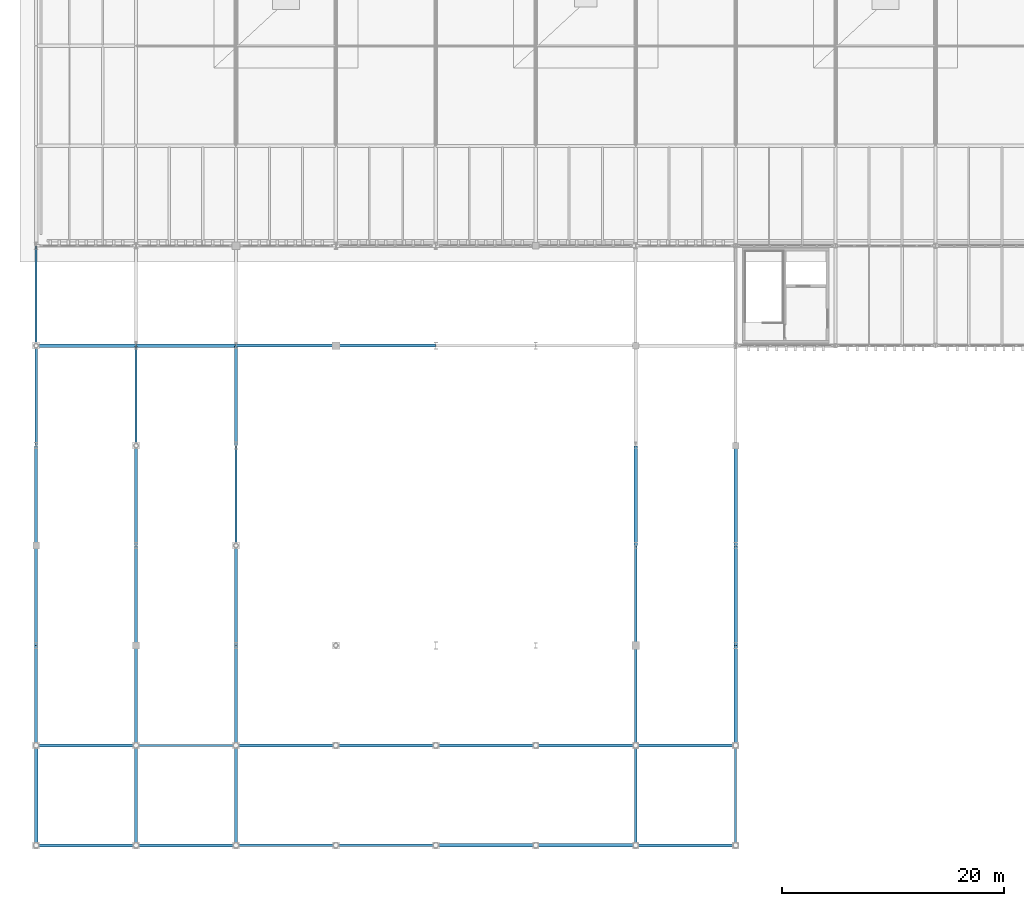
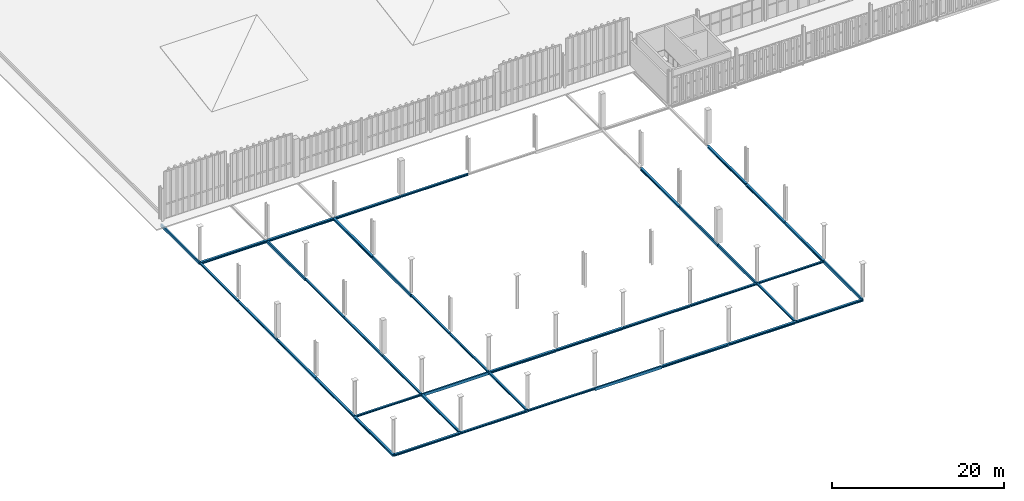
# One storey, part 17 of 196: 42 beams.
"""IFC4 building model written with IfcOpenShell, lengths in metres."""

from ifc_helpers import new_model, si_unit, direction, frame, origin, origin_2d, place, context, subcontext, project, spatial, hollow_rectangle, i_section, extrude, material, material_profile, profile_set, type_object, element, save


model = new_model("IFC4")

# Units and contexts
model_context = context("Model", 3, precision=1e-05, world=origin(), true_north=direction((0.0, 1.0)))
body_context = subcontext(model_context, "Body", "Model", "MODEL_VIEW")
ifc_project = project(units=[si_unit("LENGTHUNIT", "METRE"), si_unit("AREAUNIT", "SQUARE_METRE"), si_unit("VOLUMEUNIT", "CUBIC_METRE"), si_unit("PLANEANGLEUNIT", "RADIAN"), si_unit("MASSUNIT", "GRAM", prefix="KILO")], contexts=[model_context])

# Site, building, storey
site_placement = place(None, origin())
site = spatial("IfcSite", under=ifc_project, at=site_placement, CompositionType="ELEMENT")
building_placement = place(site_placement, origin())
building = spatial("IfcBuilding", under=site, at=building_placement, Name="Barlavento Convention Centre", CompositionType="ELEMENT")
storey_placement = place(building_placement, frame((0.0, 0.0, 18.0)))
storey = spatial("IfcBuildingStorey", under=building, at=storey_placement, Name="L03", CompositionType="ELEMENT", Elevation=18.0)

# Beams
ifc_material = material(Name="Steel S355", Category="steel")
ifc_material_profile_1 = material_profile(ifc_material, i_section(OverallWidth=0.239990234375, OverallDepth=0.22998046875, WebThickness=0.007568359375, FlangeThickness=0.011962890625, FilletRadius=0.02099609375, at=origin_2d()), Name="HEA 240")
ifc_profile_set_1 = profile_set([ifc_material_profile_1], Name="Steel S355")
beam_type_1 = type_object("IfcBeamType", Name="STR-BM-SPN-HEA240", PredefinedType="SPANDREL", material=ifc_profile_set_1)
for number, where, z_axis, x_axis, name in (
    (1, (18.02001953125, 0.0, -0.47509765625), (1.0, 0.0, 0.0), (0.0, 1.0, 0.0), "L03 primary girder SP05"),
    (2, (0.02001953125, 9.0, -0.47509765625), (1.0, 0.0, 0.0), (0.0, 1.0, 0.0), "L03 primary girder SP05"),
    (3, (54.02001953125, 9.0, -0.47509765625), (1.0, 0.0, 0.0), (0.0, 1.0, 0.0), "L03 primary girder SP05"),
    (4, (54.0, 0.02001953125, -0.47509765625), (0.0, 1.0, 0.0), (-1.0, 0.0, 0.0), "L03 grid girder SP05"),
    (5, (18.0, 9.02001953125, -0.47509765625), (0.0, 1.0, 0.0), (-1.0, 0.0, 0.0), "L03 grid girder SP05"),
    (6, (18.0, 18.02001953125, -0.47509765625), (0.0, 1.0, 0.0), (-1.0, 0.0, 0.0), "L03 grid girder SP05"),
    (7, (9.0, 27.02001953125, -0.47509765625), (0.0, 1.0, 0.0), (-1.0, 0.0, 0.0), "L03 grid girder SP05"),
    (8, (0.0, 36.02001953125, -0.47509765625), (0.0, 1.0, 0.0), (-1.0, 0.0, 0.0), "L03 grid girder SP05"),
):
    element("IfcBeam", number, at=place(storey_placement, frame(where, z_axis=z_axis, x_axis=x_axis)), inside=storey, type_object=beam_type_1, Name=name, PredefinedType="SPANDREL", context=body_context, shape_type="SweptSolid", body=[
        extrude(i_section(OverallWidth=0.239990234375, OverallDepth=0.22998046875, WebThickness=0.007568359375, FlangeThickness=0.011962890625, FilletRadius=0.02099609375, at=origin_2d()), origin(), (0.0, 0.0, 1.0), 8.9599609375),
    ])
ifc_material_profile_2 = material_profile(ifc_material, i_section(OverallWidth=0.260009765625, OverallDepth=0.25, WebThickness=0.007568359375, FlangeThickness=0.012451171875, FilletRadius=0.02392578125, at=origin_2d()), Name="HEA 260")
ifc_profile_set_2 = profile_set([ifc_material_profile_2], Name="Steel S355")
beam_type_2 = type_object("IfcBeamType", Name="STR-BM-SPN-HEA260", PredefinedType="SPANDREL", material=ifc_profile_set_2)
for number, where, z_axis, x_axis, name in (
    (9, (9.02001953125, 0.0, -0.485107421875), (1.0, 0.0, 0.0), (0.0, 1.0, 0.0), "L03 primary girder SP04"),
    (10, (45.02001953125, 9.0, -0.485107421875), (1.0, 0.0, 0.0), (0.0, 1.0, 0.0), "L03 primary girder SP04"),
    (11, (27.02001953125, 45.0, -0.485107421875), (1.0, 0.0, 0.0), (0.0, 1.0, 0.0), "L03 primary girder SP04"),
    (12, (18.0, 0.02001953125, -0.485107421875), (0.0, 1.0, 0.0), (-1.0, 0.0, 0.0), "L03 grid girder SP04"),
    (13, (9.0, 9.02001953125, -0.485107421875), (0.0, 1.0, 0.0), (-1.0, 0.0, 0.0), "L03 grid girder SP04"),
    (14, (9.0, 18.02001953125, -0.485107421875), (0.0, 1.0, 0.0), (-1.0, 0.0, 0.0), "L03 grid girder SP04"),
    (15, (0.0, 27.02001953125, -0.485107421875), (0.0, 1.0, 0.0), (-1.0, 0.0, 0.0), "L03 grid girder SP04"),
):
    element("IfcBeam", number, at=place(storey_placement, frame(where, z_axis=z_axis, x_axis=x_axis)), inside=storey, type_object=beam_type_2, Name=name, PredefinedType="SPANDREL", context=body_context, shape_type="SweptSolid", body=[
        extrude(i_section(OverallWidth=0.260009765625, OverallDepth=0.25, WebThickness=0.007568359375, FlangeThickness=0.012451171875, FilletRadius=0.02392578125, at=origin_2d()), origin(), (0.0, 0.0, 1.0), 8.9599609375),
    ])
ifc_material_profile_3 = material_profile(ifc_material, i_section(OverallWidth=0.280029296875, OverallDepth=0.27001953125, WebThickness=0.008056640625, FlangeThickness=0.012939453125, FilletRadius=0.02392578125, at=origin_2d()), Name="HEA 280")
ifc_profile_set_3 = profile_set([ifc_material_profile_3], Name="Steel S355")
beam_type_3 = type_object("IfcBeamType", Name="STR-BM-SPN-HEA280", PredefinedType="SPANDREL", material=ifc_profile_set_3)
for number, where, z_axis, x_axis, name in (
    (16, (0.02001953125, 0.0, -0.4951171875), (1.0, 0.0, 0.0), (0.0, 1.0, 0.0), "L03 primary girder SP03"),
    (17, (54.02001953125, 0.0, -0.4951171875), (1.0, 0.0, 0.0), (0.0, 1.0, 0.0), "L03 primary girder SP03"),
    (18, (36.02001953125, 9.0, -0.4951171875), (1.0, 0.0, 0.0), (0.0, 1.0, 0.0), "L03 primary girder SP03"),
    (19, (18.02001953125, 45.0, -0.4951171875), (1.0, 0.0, 0.0), (0.0, 1.0, 0.0), "L03 primary girder SP03"),
    (20, (9.0, 0.02001953125, -0.4951171875), (0.0, 1.0, 0.0), (-1.0, 0.0, 0.0), "L03 grid girder SP03"),
    (21, (0.0, 9.02001953125, -0.4951171875), (0.0, 1.0, 0.0), (-1.0, 0.0, 0.0), "L03 grid girder SP03"),
    (22, (0.0, 18.02001953125, -0.4951171875), (0.0, 1.0, 0.0), (-1.0, 0.0, 0.0), "L03 grid girder SP03"),
):
    element("IfcBeam", number, at=place(storey_placement, frame(where, z_axis=z_axis, x_axis=x_axis)), inside=storey, type_object=beam_type_3, Name=name, PredefinedType="SPANDREL", context=body_context, shape_type="SweptSolid", body=[
        extrude(i_section(OverallWidth=0.280029296875, OverallDepth=0.27001953125, WebThickness=0.008056640625, FlangeThickness=0.012939453125, FilletRadius=0.02392578125, at=origin_2d()), origin(), (0.0, 0.0, 1.0), 8.9599609375),
    ])
ifc_material_profile_4 = material_profile(ifc_material, i_section(OverallWidth=0.300048828125, OverallDepth=0.2900390625, WebThickness=0.008544921875, FlangeThickness=0.013916015625, FilletRadius=0.027099609375, at=origin_2d()), Name="HEA 300")
ifc_profile_set_4 = profile_set([ifc_material_profile_4], Name="Steel S355")
beam_type_4 = type_object("IfcBeamType", Name="STR-BM-SPN-HEA300", PredefinedType="SPANDREL", material=ifc_profile_set_4)
for number, where, z_axis, x_axis, name in (
    (23, (45.02001953125, 0.0, -0.5048828125), (1.0, 0.0, 0.0), (0.0, 1.0, 0.0), "L03 primary girder SP02"),
    (24, (27.02001953125, 9.0, -0.5048828125), (1.0, 0.0, 0.0), (0.0, 1.0, 0.0), "L03 primary girder SP02"),
    (25, (9.02001953125, 45.0, -0.5048828125), (1.0, 0.0, 0.0), (0.0, 1.0, 0.0), "L03 primary girder SP02"),
    (26, (0.0, 0.02001953125, -0.5048828125), (0.0, 1.0, 0.0), (-1.0, 0.0, 0.0), "L03 grid girder SP02"),
    (27, (63.0, 27.02001953125, -0.5048828125), (0.0, 1.0, 0.0), (-1.0, 0.0, 0.0), "L03 grid girder SP02"),
):
    element("IfcBeam", number, at=place(storey_placement, frame(where, z_axis=z_axis, x_axis=x_axis)), inside=storey, type_object=beam_type_4, Name=name, PredefinedType="SPANDREL", context=body_context, shape_type="SweptSolid", body=[
        extrude(i_section(OverallWidth=0.300048828125, OverallDepth=0.2900390625, WebThickness=0.008544921875, FlangeThickness=0.013916015625, FilletRadius=0.027099609375, at=origin_2d()), origin(), (0.0, 0.0, 1.0), 8.9599609375),
    ])
ifc_material_profile_5 = material_profile(ifc_material, i_section(OverallWidth=0.300048828125, OverallDepth=0.31005859375, WebThickness=0.009033203125, FlangeThickness=0.015380859375, FilletRadius=0.027099609375, at=origin_2d()), Name="HEA 320")
ifc_profile_set_5 = profile_set([ifc_material_profile_5], Name="Steel S355")
beam_type_5 = type_object("IfcBeamType", Name="STR-BM-SPN-HEA320", PredefinedType="SPANDREL", material=ifc_profile_set_5)
for number, where, z_axis, x_axis, name in (
    (28, (36.02001953125, 0.0, -0.514892578125), (1.0, 0.0, 0.0), (0.0, 1.0, 0.0), "L03 primary girder SP01"),
    (29, (18.02001953125, 9.0, -0.514892578125), (1.0, 0.0, 0.0), (0.0, 1.0, 0.0), "L03 primary girder SP01"),
    (30, (0.02001953125, 45.0, -0.514892578125), (1.0, 0.0, 0.0), (0.0, 1.0, 0.0), "L03 primary girder SP01"),
    (31, (63.0, 9.02001953125, -0.514892578125), (0.0, 1.0, 0.0), (-1.0, 0.0, 0.0), "L03 grid girder SP01"),
    (32, (63.0, 18.02001953125, -0.514892578125), (0.0, 1.0, 0.0), (-1.0, 0.0, 0.0), "L03 grid girder SP01"),
    (33, (54.0, 27.02001953125, -0.514892578125), (0.0, 1.0, 0.0), (-1.0, 0.0, 0.0), "L03 grid girder SP01"),
    (34, (18.0, 36.02001953125, -0.514892578125), (0.0, 1.0, 0.0), (-1.0, 0.0, 0.0), "L03 grid girder SP01"),
):
    element("IfcBeam", number, at=place(storey_placement, frame(where, z_axis=z_axis, x_axis=x_axis)), inside=storey, type_object=beam_type_5, Name=name, PredefinedType="SPANDREL", context=body_context, shape_type="SweptSolid", body=[
        extrude(i_section(OverallWidth=0.300048828125, OverallDepth=0.31005859375, WebThickness=0.009033203125, FlangeThickness=0.015380859375, FilletRadius=0.027099609375, at=origin_2d()), origin(), (0.0, 0.0, 1.0), 8.9599609375),
    ])
ifc_material_profile_6 = material_profile(ifc_material, hollow_rectangle(XDim=0.199951171875, YDim=0.39990234375, WallThickness=0.01611328125, at=origin_2d()), Name="RHS 400x200x16.0")
ifc_profile_set_6 = profile_set([ifc_material_profile_6], Name="Steel S355")
beam_type_6 = type_object("IfcBeamType", Name="STR-BM-SPN-RHS400", PredefinedType="SPANDREL", material=ifc_profile_set_6)
for number, where, z_axis, x_axis, name in (
    (35, (27.02001953125, 0.0, -0.56005859375), (1.0, 0.0, 0.0), (0.0, 1.0, 0.0), "L03 primary girder SP06"),
    (36, (9.02001953125, 9.0, -0.56005859375), (1.0, 0.0, 0.0), (0.0, 1.0, 0.0), "L03 primary girder SP06"),
    (37, (63.0, 0.02001953125, -0.56005859375), (0.0, 1.0, 0.0), (-1.0, 0.0, 0.0), "L03 grid girder SP06"),
    (38, (54.0, 9.02001953125, -0.56005859375), (0.0, 1.0, 0.0), (-1.0, 0.0, 0.0), "L03 grid girder SP06"),
    (39, (54.0, 18.02001953125, -0.56005859375), (0.0, 1.0, 0.0), (-1.0, 0.0, 0.0), "L03 grid girder SP06"),
    (40, (18.0, 27.02001953125, -0.56005859375), (0.0, 1.0, 0.0), (-1.0, 0.0, 0.0), "L03 grid girder SP06"),
    (41, (9.0, 36.02001953125, -0.56005859375), (0.0, 1.0, 0.0), (-1.0, 0.0, 0.0), "L03 grid girder SP06"),
    (42, (0.0, 45.02001953125, -0.544921875), (0.0, 1.0, 0.0), (-1.0, 0.0, 0.0), "L03 grid girder SP06"),
):
    element("IfcBeam", number, at=place(storey_placement, frame(where, z_axis=z_axis, x_axis=x_axis)), inside=storey, type_object=beam_type_6, Name=name, PredefinedType="SPANDREL", context=body_context, shape_type="SweptSolid", body=[
        extrude(hollow_rectangle(XDim=0.199951171875, YDim=0.39990234375, WallThickness=0.01611328125, at=origin_2d()), origin(), (0.0, 0.0, 1.0), 8.9599609375),
    ])

save(model, "model.ifc")
